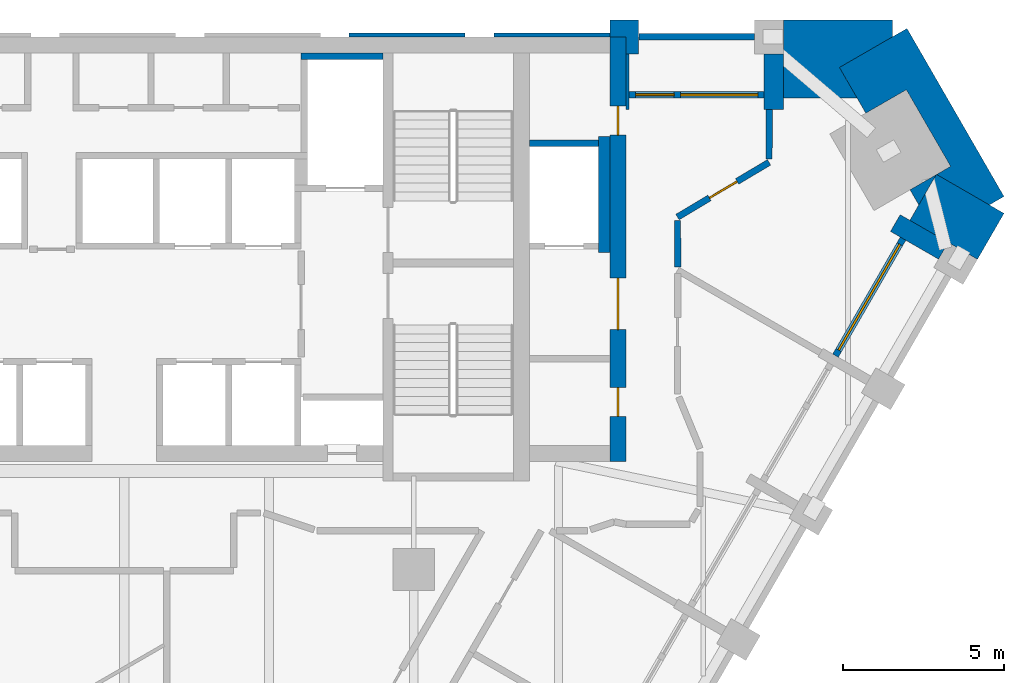
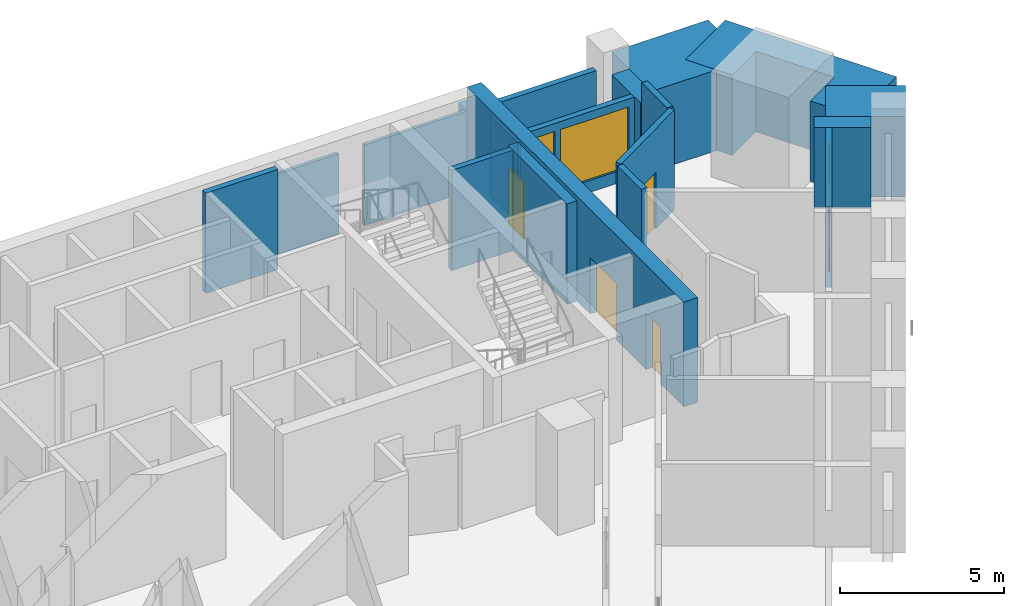
# One storey, part 8 of 10: 20 walls, 5 doors, 2 windows, 7 openings.
"""IFC4 building model written with IfcOpenShell, lengths in metres."""

from ifc_helpers import new_model, si_unit, direction, frame, frame_2d, origin, place, context, subcontext, project, spatial, polyline, rectangle, outline, extrude, material, layer, layer_set, type_object, element, fill, save


model = new_model("IFC4")

# Units and contexts
model_context = context("Model", 3, precision=1e-05, world=origin(), true_north=direction((0.0, 1.0)))
body_context = subcontext(model_context, "Body", "Model", "MODEL_VIEW")
ifc_project = project(units=[si_unit("LENGTHUNIT", "METRE"), si_unit("AREAUNIT", "SQUARE_METRE"), si_unit("VOLUMEUNIT", "CUBIC_METRE"), si_unit("PLANEANGLEUNIT", "RADIAN"), si_unit("MASSUNIT", "GRAM", prefix="KILO")], contexts=[model_context])

# Site, building, storey
site_placement = place(None, origin())
site = spatial("IfcSite", under=ifc_project, at=site_placement, CompositionType="ELEMENT")
building_placement = place(site_placement, origin())
building = spatial("IfcBuilding", under=site, at=building_placement, Name="Calabash Gate Tower", CompositionType="ELEMENT")
storey_placement = place(building_placement, frame((0.0, 0.0, 152.39990234375)))
storey = spatial("IfcBuildingStorey", under=building, at=storey_placement, Name="L35", CompositionType="ELEMENT", Elevation=152.39990234375)

# Walls
ifc_material_1 = material(Name="Terracotta brick masonry, exposed face", Category="masonry")
ifc_layer_1 = layer(ifc_material_1, 2.425048828125)
ifc_layer_set_1 = layer_set([ifc_layer_1], Name="Brick corner mass wall 2425")
wall_type_1 = type_object("IfcWallType", Name="Brick corner mass wall 2425", PredefinedType="SOLIDWALL", material=ifc_layer_set_1)
wall_1_placement = place(storey_placement, origin())
element("IfcWall", 1, at=wall_1_placement, inside=storey, type_object=wall_type_1, Name="Brick corner pier S09 3a", PredefinedType="SOLIDWALL", context=body_context, shape_type="SweptSolid", body=[
    extrude(outline(polyline([(25.24560546875, 14.77099609375), (24.425048828125, 13.349853515625), (25.6162109375, 12.662109375), (25.616455078125, 12.662109375), (26.525146484375, 12.137451171875), (27.350341796875, 13.566650390625), (25.255126953125, 14.7763671875), (25.24560546875, 14.77099609375)])), origin(), (0.0, 0.0, 1.0), 3.0),
])
wall_2_placement = place(storey_placement, origin())
element("IfcWall", 2, at=wall_2_placement, inside=storey, type_object=wall_type_1, Name="Brick corner pier S09 3ba", PredefinedType="SOLIDWALL", context=body_context, shape_type="SweptSolid", body=[
    extrude(outline(polyline([(25.24560546875, 14.77099609375), (24.429931640625, 14.300048828125), (24.701904296875, 13.8291015625), (25.24560546875, 14.77099609375)])), origin(), (0.0, 0.0, 1.0), 3.0),
])
wall_3_placement = place(storey_placement, origin())
element("IfcWall", 3, at=wall_3_placement, inside=storey, type_object=wall_type_1, Name="Brick corner pier S09 3bb", PredefinedType="SOLIDWALL", context=body_context, shape_type="SweptSolid", body=[
    extrude(outline(polyline([(24.315185546875, 17.4091796875), (25.690185546875, 15.02783203125), (25.255126953125, 14.7763671875), (26.895751953125, 13.8291015625), (27.350341796875, 14.091552734375), (24.334716796875, 19.31494140625), (22.234619140625, 18.1025390625), (23.054931640625, 16.681640625), (24.315185546875, 17.4091796875)])), origin(), (0.0, 0.0, 1.0), 3.0),
])
wall_4_placement = place(storey_placement, origin())
element("IfcWall", 4, at=wall_4_placement, inside=storey, type_object=wall_type_1, Name="Brick corner pier S09 3c", PredefinedType="SOLIDWALL", context=body_context, shape_type="SweptSolid", body=[
    extrude(outline(polyline([(20.495361328125, 18.528076171875), (20.495361328125, 17.152587890625), (22.782958984375, 17.152587890625), (22.234619140625, 18.1025390625), (23.880126953125, 19.052490234375), (23.880126953125, 19.57763671875), (20.4970703125, 19.57763671875), (20.4970703125, 18.528076171875), (20.495361328125, 18.528076171875)])), origin(), (0.0, 0.0, 1.0), 3.0),
])
ifc_material_2 = material(Name="Terracotta brick masonry, exposed face", Category="masonry")
ifc_layer_2 = layer(ifc_material_2, 1.050048828125)
ifc_layer_set_2 = layer_set([ifc_layer_2], Name="Brick end wall 1050")
wall_type_2 = type_object("IfcWallType", Name="Brick end wall 1050", PredefinedType="SOLIDWALL", material=ifc_layer_set_2)
wall_5_placement = place(storey_placement, origin())
element("IfcWall", 5, at=wall_5_placement, inside=storey, type_object=wall_type_2, Name="Brick pier S09 N6.1", PredefinedType="SOLIDWALL", context=body_context, shape_type="SweptSolid", body=[
    extrude(outline(polyline([(15.995361328125, 18.527587890625), (15.995361328125, 19.57763671875), (15.09521484375, 19.57763671875), (15.09521484375, 19.052490234375), (15.60009765625, 19.052490234375), (15.60009765625, 18.527587890625), (15.995361328125, 18.527587890625)])), origin(), (0.0, 0.0, 1.0), 3.0),
])
ifc_material_3 = material(Name="Terracotta brick masonry, exposed face", Category="masonry")
ifc_layer_3 = layer(ifc_material_3, 0.300048828125)
ifc_layer_set_3 = layer_set([ifc_layer_3], Name="Brick loggia cheek wall 300")
wall_type_3 = type_object("IfcWallType", Name="Brick loggia cheek wall 300", PredefinedType="SOLIDWALL", material=ifc_layer_set_3)
wall_6_placement = place(storey_placement, frame((25.4658203125, 12.402587890625, 0.0), z_axis=(0.0, 0.0, 1.0), x_axis=(-0.866074815912, 0.499914405916, 0.0)))
element("IfcWall", 6, at=wall_6_placement, inside=storey, type_object=wall_type_3, Name="Loggia cheek S09 SE4.8", PredefinedType="SOLIDWALL", context=body_context, shape_type="SweptSolid", body=[
    extrude(rectangle(XDim=1.724853515625, YDim=0.60009765625, at=frame_2d((0.8623046875, 0.0))), origin(), (0.0, 0.0, 1.0), 3.0),
])
wall_7_placement = place(storey_placement, origin())
element("IfcWall", 7, at=wall_7_placement, inside=storey, type_object=wall_type_3, Name="Loggia cheek S09 N6.0", PredefinedType="SOLIDWALL", context=body_context, shape_type="SweptSolid", body=[
    extrude(outline(polyline([(20.495361328125, 16.802490234375), (20.495361328125, 18.527587890625), (19.895263671875, 18.527587890625), (19.895263671875, 16.802490234375), (20.495361328125, 16.802490234375)])), origin(), (0.0, 0.0, 1.0), 3.0),
])
wall_8_placement = place(storey_placement, origin())
element("IfcWall", 8, at=wall_8_placement, inside=storey, type_object=wall_type_3, Name="Loggia cheek S09 N6.1", PredefinedType="SOLIDWALL", context=body_context, shape_type="SweptSolid", body=[
    extrude(outline(polyline([(15.6953125, 18.527587890625), (15.60009765625, 18.527587890625), (15.60009765625, 16.802490234375), (15.6953125, 16.802490234375), (15.6953125, 18.527587890625)])), origin(), (0.0, 0.0, 1.0), 3.0),
])

# Wall, openings, doors
ifc_material_4 = material(Name="Concrete C70/85", Category="concrete")
ifc_layer_4 = layer(ifc_material_4, 0.5)
ifc_layer_set_4 = layer_set([ifc_layer_4], Name="Core wall 500 Concrete C70/85")
wall_type_4 = type_object("IfcWallType", Name="Core wall 500 Concrete C70/85", PredefinedType="SHEAR", material=ifc_layer_set_4)
wall_9_placement = place(storey_placement, frame((15.35009765625, 5.8525390625, 0.0), z_axis=(0.0, 0.0, 1.0), x_axis=(0.0, 1.0, 0.0)))
wall_9 = element("IfcWall", 9, at=wall_9_placement, inside=storey, type_object=wall_type_4, Name="Core wall Z3-ENDE L35", PredefinedType="SHEAR", context=body_context, shape_type="SweptSolid", body=[
    extrude(rectangle(XDim=13.199951171875, YDim=0.5, at=frame_2d((6.60009765625, 0.0))), origin(), (0.0, 0.0, 1.0), 3.900146484375),
])
opening_1_placement = place(wall_9_placement, frame((4.10009765625, 0.0, 0.0)))
opening_1 = element("IfcOpeningElement", 10, at=opening_1_placement, cuts=wall_9, Name="Opening O1-003", PredefinedType="OPENING", context=body_context, shape_type="SweptSolid", body=[
    extrude(rectangle(XDim=1.60009765625, YDim=2.10009765625, at=frame_2d((0.800048828125, 1.050048828125))), frame((0.0, 0.260009765625, 0.0), z_axis=(0.0, -1.0, 0.0), x_axis=(1.0, 0.0, 0.0)), (0.0, 0.0, 1.0), 0.52001953125),
])
opening_2_placement = place(wall_9_placement, frame((1.39990234375, 0.0, 0.0)))
opening_2 = element("IfcOpeningElement", 11, at=opening_2_placement, cuts=wall_9, Name="Opening O1-001", PredefinedType="OPENING", context=body_context, shape_type="SweptSolid", body=[
    extrude(rectangle(XDim=0.89990234375, YDim=2.10009765625, at=frame_2d((0.449951171875, 1.050048828125))), frame((0.0, 0.260009765625, 0.0), z_axis=(0.0, -1.0, 0.0), x_axis=(1.0, 0.0, 0.0)), (0.0, 0.0, 1.0), 0.52001953125),
])
opening_3_placement = place(wall_9_placement, frame((10.14990234375, 0.0, 0.0)))
opening_3 = element("IfcOpeningElement", 12, at=opening_3_placement, cuts=wall_9, Name="Opening O1-002", PredefinedType="OPENING", context=body_context, shape_type="SweptSolid", body=[
    extrude(rectangle(XDim=0.89990234375, YDim=2.10009765625, at=frame_2d((0.449951171875, 1.050048828125))), frame((0.0, 0.260009765625, 0.0), z_axis=(0.0, -1.0, 0.0), x_axis=(1.0, 0.0, 0.0)), (0.0, 0.0, 1.0), 0.52001953125),
])
ifc_material_5 = material(Name="Steel fire door set with fire-resisting glazing", Category="steel")
door_type_1 = type_object("IfcDoorType", Name="Double fire door D08 1600x2100 FD60", OperationType="DOUBLE_DOOR_SINGLE_SWING", PredefinedType="DOOR", material=ifc_material_5)
door_1_placement = place(opening_1_placement, origin())
door_1 = element("IfcDoor", 13, at=door_1_placement, inside=storey, type_object=door_type_1, Name="Service Lift Lobby E door", OperationType="DOUBLE_DOOR_SINGLE_SWING", OverallHeight=2.10009765625, OverallWidth=1.60009765625, PredefinedType="DOOR", context=body_context, shape_type="SweptSolid", body=[
    extrude(rectangle(XDim=1.60009765625, YDim=2.10009765625, at=frame_2d((0.800048828125, 1.050048828125))), frame((0.0, 0.02490234375, 0.0), z_axis=(0.0, -1.0, 0.0), x_axis=(1.0, 0.0, 0.0)), (0.0, 0.0, 1.0), 0.050048828125),
])
fill(opening_1, door_1)
ifc_material_6 = material(Name="Steel fire door set with fire-resisting glazing", Category="steel")
door_type_2 = type_object("IfcDoorType", Name="Fire door D06 900x2100 FD60", OperationType="NOTDEFINED", PredefinedType="DOOR", material=ifc_material_6)
door_2_placement = place(opening_2_placement, origin())
door_2 = element("IfcDoor", 14, at=door_2_placement, inside=storey, type_object=door_type_2, Name="Comms Room door", OperationType="SINGLE_SWING_RIGHT", OverallHeight=2.10009765625, OverallWidth=0.89990234375, PredefinedType="DOOR", context=body_context, shape_type="SweptSolid", body=[
    extrude(rectangle(XDim=0.89990234375, YDim=2.10009765625, at=frame_2d((0.449951171875, 1.050048828125))), frame((0.0, 0.02490234375, 0.0), z_axis=(0.0, -1.0, 0.0), x_axis=(1.0, 0.0, 0.0)), (0.0, 0.0, 1.0), 0.050048828125),
])
fill(opening_2, door_2)
door_3_placement = place(opening_3_placement, origin())
door_3 = element("IfcDoor", 15, at=door_3_placement, inside=storey, type_object=door_type_2, Name="Print Room door", OperationType="SINGLE_SWING_LEFT", OverallHeight=2.10009765625, OverallWidth=0.89990234375, PredefinedType="DOOR", context=body_context, shape_type="SweptSolid", body=[
    extrude(rectangle(XDim=0.89990234375, YDim=2.10009765625, at=frame_2d((0.449951171875, 1.050048828125))), frame((0.0, 0.02490234375, 0.0), z_axis=(0.0, -1.0, 0.0), x_axis=(1.0, 0.0, 0.0)), (0.0, 0.0, 1.0), 0.050048828125),
])
fill(opening_3, door_3)

# Wall
ifc_material_7 = material(Name="Gypsum board on steel studs, mineral wool", Category="steel")
ifc_layer_5 = layer(ifc_material_7, 0.199951171875)
ifc_layer_set_5 = layer_set([ifc_layer_5], Name="Partition 200 gypsum board EI 60")
wall_type_5 = type_object("IfcWallType", Name="Partition 200 gypsum board EI 60", PredefinedType="PARTITIONING", material=ifc_layer_set_5)
wall_10_placement = place(storey_placement, frame((17.20068359375, 13.352294921875, 0.0), z_axis=(0.0, 0.0, 1.0), x_axis=(0.000843027858, -0.999999644652, 0.0)))
element("IfcWall", 16, at=wall_10_placement, inside=storey, type_object=wall_type_5, Name="Partition", PredefinedType="PARTITIONING", context=body_context, shape_type="SweptSolid", body=[
    extrude(rectangle(XDim=1.447998046875, YDim=0.199951171875, at=frame_2d((0.72412109375, 0.0))), origin(), (0.0, 0.0, 1.0), 3.72998046875),
])

# Wall, opening, door
wall_11_placement = place(storey_placement, frame((17.200439453125, 13.452392578125, 0.0), z_axis=(0.0, 0.0, 1.0), x_axis=(0.858479307904, 0.512848201616, 0.0)))
wall_11 = element("IfcWall", 17, at=wall_11_placement, inside=storey, type_object=wall_type_5, Name="Partition", PredefinedType="PARTITIONING", context=body_context, shape_type="SweptSolid", body=[
    extrude(rectangle(XDim=3.314208984375, YDim=0.199951171875, at=frame_2d((1.6572265625, 0.0))), origin(), (0.0, 0.0, 1.0), 3.72998046875),
])
opening_4_placement = place(wall_11_placement, frame((1.1572265625, 0.0, 0.0)))
opening_4 = element("IfcOpeningElement", 18, at=opening_4_placement, cuts=wall_11, Name="Opening 33-35-014", PredefinedType="OPENING", context=body_context, shape_type="SweptSolid", body=[
    extrude(rectangle(XDim=1.0, YDim=2.10009765625, at=frame_2d((0.5, 1.050048828125))), frame((0.0, 0.10986328125, 0.0), z_axis=(0.0, -1.0, 0.0), x_axis=(1.0, 0.0, 0.0)), (0.0, 0.0, 1.0), 0.219970703125),
])
ifc_material_8 = material(Name="Steel fire door set with fire-resisting glazing", Category="steel")
door_type_3 = type_object("IfcDoorType", Name="LD2 Meeting room door 1000x2100", OperationType="NOTDEFINED", PredefinedType="DOOR", material=ifc_material_8)
door_4_placement = place(opening_4_placement, origin())
door_4 = element("IfcDoor", 19, at=door_4_placement, inside=storey, type_object=door_type_3, Name="Meeting room door", OperationType="SINGLE_SWING_LEFT", OverallHeight=2.10009765625, OverallWidth=1.0, PredefinedType="DOOR", context=body_context, shape_type="SweptSolid", body=[
    extrude(rectangle(XDim=1.0, YDim=2.10009765625, at=frame_2d((0.5, 1.050048828125))), frame((0.0, 0.02490234375, 0.0), z_axis=(0.0, -1.0, 0.0), x_axis=(1.0, 0.0, 0.0)), (0.0, 0.0, 1.0), 0.050048828125),
])
fill(opening_4, door_4)

# Walls
wall_12_placement = place(storey_placement, frame((20.045654296875, 15.252197265625, 0.0), z_axis=(0.0, 0.0, 1.0), x_axis=(0.000157480313, 0.9999999876, 0.0)))
element("IfcWall", 20, at=wall_12_placement, inside=storey, type_object=wall_type_5, Name="Partition", PredefinedType="PARTITIONING", context=body_context, shape_type="SweptSolid", body=[
    extrude(rectangle(XDim=1.55029296875, YDim=0.199951171875, at=frame_2d((0.775146484375, 0.0))), origin(), (0.0, 0.0, 1.0), 3.72998046875),
])
ifc_material_9 = material(Name="Concrete C40/50", Category="concrete")
ifc_layer_6 = layer(ifc_material_9, 0.199951171875)
ifc_layer_set_6 = layer_set([ifc_layer_6], Name="Shaft wall 200 Concrete C40/50")
wall_type_6 = type_object("IfcWallType", Name="Shaft wall 200 Concrete C40/50", PredefinedType="SOLIDWALL", material=ifc_layer_set_6)
wall_13_placement = place(storey_placement, frame((14.925048828125, 12.3525390625, 0.0), z_axis=(0.0, 0.0, 1.0), x_axis=(0.0, 1.0, 0.0)))
element("IfcWall", 21, at=wall_13_placement, inside=storey, type_object=wall_type_6, Name="Shaft wall", PredefinedType="SOLIDWALL", context=body_context, shape_type="SweptSolid", body=[
    extrude(rectangle(XDim=3.60009765625, YDim=0.35009765625, at=frame_2d((1.800048828125, 0.0))), origin(), (0.0, 0.0, 1.0), 3.72998046875),
])
wall_14_placement = place(storey_placement, frame((12.60009765625, 15.752685546875, 0.0), z_axis=(0.0, 0.0, 1.0), x_axis=(1.0, 0.0, 0.0)))
element("IfcWall", 22, at=wall_14_placement, inside=storey, type_object=wall_type_6, Name="Shaft wall", PredefinedType="SOLIDWALL", context=body_context, shape_type="SweptSolid", body=[
    extrude(rectangle(XDim=2.14990234375, YDim=0.199951171875, at=frame_2d((1.074951171875, 0.0))), origin(), (0.0, 0.0, 1.0), 3.72998046875),
])
wall_15_placement = place(storey_placement, frame((5.5, 18.45263671875, 0.0), z_axis=(0.0, 0.0, 1.0), x_axis=(1.0, 0.0, 0.0)))
element("IfcWall", 23, at=wall_15_placement, inside=storey, type_object=wall_type_6, Name="Shaft wall", PredefinedType="SOLIDWALL", context=body_context, shape_type="SweptSolid", body=[
    extrude(rectangle(XDim=2.550048828125, YDim=0.199951171875, at=frame_2d((1.27490234375, 0.0))), origin(), (0.0, 0.0, 1.0), 3.72998046875),
])
ifc_material_10 = material(Name="Terracotta brick masonry, perforated", Category="masonry")
ifc_layer_7 = layer(ifc_material_10, 0.1201171875)
ifc_layer_set_7 = layer_set([ifc_layer_7], Name="Terracotta jaali cladding A 120")
wall_type_7 = type_object("IfcWallType", Name="Terracotta jaali cladding A 120", PredefinedType="SOLIDWALL", material=ifc_layer_set_7)
wall_16_placement = place(storey_placement, origin())
element("IfcWall", 24, at=wall_16_placement, inside=storey, type_object=wall_type_7, Name="Jaali cladding S09 N6.3", PredefinedType="SOLIDWALL", context=body_context, shape_type="SweptSolid", body=[
    extrude(outline(polyline([(6.995361328125, 19.172607421875), (6.995361328125, 19.052490234375), (10.59521484375, 19.052490234375), (10.59521484375, 19.172607421875), (6.995361328125, 19.172607421875)])), origin(), (0.0, 0.0, 1.0), 3.0),
])
ifc_material_11 = material(Name="Terracotta brick masonry, perforated", Category="masonry")
ifc_layer_8 = layer(ifc_material_11, 0.199951171875)
ifc_layer_set_8 = layer_set([ifc_layer_8], Name="Terracotta jaali screen A")
wall_type_8 = type_object("IfcWallType", Name="Terracotta jaali screen A", PredefinedType="SOLIDWALL", material=ifc_layer_set_8)
wall_17_placement = place(storey_placement, frame((19.59521484375, 19.052490234375, 0.0), z_axis=(0.0, 0.0, 1.0), x_axis=(-1.0, 0.0, 0.0)))
element("IfcWall", 25, at=wall_17_placement, inside=storey, type_object=wall_type_8, Name="SCREEN A S09 N6.1", PredefinedType="SOLIDWALL", context=body_context, shape_type="SweptSolid", body=[
    extrude(rectangle(XDim=3.599853515625, YDim=0.199951171875, at=frame_2d((1.7998046875, 0.0))), origin(), (0.0, 0.0, 1.0), 3.0),
])
ifc_material_12 = material(Name="Terracotta louvre blades in an aluminium frame", Category="masonry")
ifc_layer_9 = layer(ifc_material_12, 0.1201171875)
ifc_layer_set_9 = layer_set([ifc_layer_9], Name="Terracotta vent louvre cladding 120")
wall_type_9 = type_object("IfcWallType", Name="Terracotta vent louvre cladding 120", PredefinedType="ELEMENTEDWALL", material=ifc_layer_set_9)
wall_18_placement = place(storey_placement, origin())
element("IfcWall", 26, at=wall_18_placement, inside=storey, type_object=wall_type_9, Name="Vent louvre cladding S09 N6.2", PredefinedType="ELEMENTEDWALL", context=body_context, shape_type="SweptSolid", body=[
    extrude(outline(polyline([(11.495361328125, 19.172607421875), (11.495361328125, 19.052490234375), (15.0947265625, 19.052490234375), (15.0947265625, 19.172607421875), (11.495361328125, 19.172607421875)])), origin(), (0.0, 0.0, 1.0), 3.0),
])

# Wall, opening, window
ifc_material_13 = material(Name="Aluminium framed window wall with insulated spandrel", Category="aluminium")
ifc_layer_10 = layer(ifc_material_13, 0.199951171875)
ifc_layer_set_10 = layer_set([ifc_layer_10], Name="Window wall 200")
wall_type_10 = type_object("IfcWallType", Name="Window wall 200", PredefinedType="ELEMENTEDWALL", material=ifc_layer_set_10)
wall_19_placement = place(storey_placement, frame((22.111572265625, 9.142822265625, 0.0), z_axis=(0.0, 0.0, 1.0), x_axis=(0.500002543286, 0.866023935413, 0.0)))
wall_19 = element("IfcWall", 27, at=wall_19_placement, inside=storey, type_object=wall_type_10, Name="Window wall S09 SE4.8", PredefinedType="ELEMENTEDWALL", context=body_context, shape_type="SweptSolid", body=[
    extrude(rectangle(XDim=4.2001953125, YDim=0.199951171875, at=frame_2d((2.10009765625, 0.0))), origin(), (0.0, 0.0, 1.0), 3.0),
])
opening_5_placement = place(wall_19_placement, frame((0.199951171875, 0.0, 0.449951171875)))
opening_5 = element("IfcOpeningElement", 28, at=opening_5_placement, cuts=wall_19, Name="Opening OW2", PredefinedType="OPENING", context=body_context, shape_type="SweptSolid", body=[
    extrude(rectangle(XDim=3.800048828125, YDim=2.25, at=frame_2d((1.89990234375, 1.125))), frame((0.0, 0.10986328125, 0.0), z_axis=(0.0, -1.0, 0.0), x_axis=(1.0, 0.0, 0.0)), (0.0, 0.0, 1.0), 0.219970703125),
])
ifc_material_14 = material(Name="Anodised aluminium frame, bronze finish, impact-rated laminated clear glazing", Category="aluminium")
window_type_1 = type_object("IfcWindowType", Name="Window OW2 3800x2250", PartitioningType="TRIPLE_PANEL_VERTICAL", PredefinedType="WINDOW", material=ifc_material_14)
window_1_placement = place(opening_5_placement, origin())
window_1 = element("IfcWindow", 29, at=window_1_placement, inside=storey, type_object=window_type_1, Name="Window OW2 S09 SE4.8", OverallHeight=2.25, OverallWidth=3.800048828125, PartitioningType="SINGLE_PANEL", PredefinedType="WINDOW", context=body_context, shape_type="SweptSolid", body=[
    extrude(rectangle(XDim=3.800048828125, YDim=2.25, at=frame_2d((1.89990234375, 1.125))), frame((0.0, 0.030029296875, 0.0), z_axis=(0.0, -1.0, 0.0), x_axis=(1.0, 0.0, 0.0)), (0.0, 0.0, 1.0), 0.06005859375),
])
fill(opening_5, window_1)

# Wall, openings, door, window
wall_20_placement = place(storey_placement, frame((19.895263671875, 17.25244140625, 0.0), z_axis=(0.0, 0.0, 1.0), x_axis=(-1.0, 0.0, 0.0)))
wall_20 = element("IfcWall", 30, at=wall_20_placement, inside=storey, type_object=wall_type_10, Name="Window wall S09 N6.1", PredefinedType="ELEMENTEDWALL", context=body_context, shape_type="SweptSolid", body=[
    extrude(rectangle(XDim=4.199951171875, YDim=0.199951171875, at=frame_2d((2.10009765625, 0.0))), origin(), (0.0, 0.0, 1.0), 3.0),
])
opening_6_placement = place(wall_20_placement, frame((0.199951171875, 0.0, 0.449951171875)))
opening_6 = element("IfcOpeningElement", 31, at=opening_6_placement, cuts=wall_20, Name="Opening OW1", PredefinedType="OPENING", context=body_context, shape_type="SweptSolid", body=[
    extrude(rectangle(XDim=2.39990234375, YDim=2.25, at=frame_2d((1.199951171875, 1.125))), frame((0.0, 0.10986328125, 0.0), z_axis=(0.0, -1.0, 0.0), x_axis=(1.0, 0.0, 0.0)), (0.0, 0.0, 1.0), 0.219970703125),
])
opening_7_placement = place(wall_20_placement, frame((2.800048828125, 0.0, 0.0)))
opening_7 = element("IfcOpeningElement", 32, at=opening_7_placement, cuts=wall_20, Name="Opening O1-020", PredefinedType="OPENING", context=body_context, shape_type="SweptSolid", body=[
    extrude(rectangle(XDim=1.199951171875, YDim=2.699951171875, at=frame_2d((0.60009765625, 1.35009765625))), frame((0.0, 0.10986328125, 0.0), z_axis=(0.0, -1.0, 0.0), x_axis=(1.0, 0.0, 0.0)), (0.0, 0.0, 1.0), 0.219970703125),
])
ifc_material_15 = material(Name="Anodised aluminium frame, bronze finish, impact-rated laminated clear glazing", Category="aluminium")
door_type_4 = type_object("IfcDoorType", Name="Loggia door DO1 1200x2700", OperationType="SLIDING_TO_LEFT", PredefinedType="DOOR", material=ifc_material_15)
door_5_placement = place(opening_7_placement, origin())
door_5 = element("IfcDoor", 33, at=door_5_placement, inside=storey, type_object=door_type_4, Name="Loggia door S09 N6.1", OperationType="SINGLE_SWING_LEFT", OverallHeight=2.699951171875, OverallWidth=1.199951171875, PredefinedType="DOOR", context=body_context, shape_type="SweptSolid", body=[
    extrude(rectangle(XDim=1.199951171875, YDim=2.699951171875, at=frame_2d((0.60009765625, 1.35009765625))), frame((0.0, 0.02490234375, 0.0), z_axis=(0.0, -1.0, 0.0), x_axis=(1.0, 0.0, 0.0)), (0.0, 0.0, 1.0), 0.050048828125),
])
fill(opening_7, door_5)
ifc_material_16 = material(Name="Anodised aluminium frame, bronze finish, impact-rated laminated clear glazing", Category="aluminium")
window_type_2 = type_object("IfcWindowType", Name="Window OW1 2400x2250", PartitioningType="DOUBLE_PANEL_VERTICAL", PredefinedType="WINDOW", material=ifc_material_16)
window_2_placement = place(opening_6_placement, origin())
window_2 = element("IfcWindow", 34, at=window_2_placement, inside=storey, type_object=window_type_2, Name="Window OW1 S09 N6.1", OverallHeight=2.25, OverallWidth=2.39990234375, PartitioningType="SINGLE_PANEL", PredefinedType="WINDOW", context=body_context, shape_type="SweptSolid", body=[
    extrude(rectangle(XDim=2.39990234375, YDim=2.25, at=frame_2d((1.199951171875, 1.125))), frame((0.0, 0.030029296875, 0.0), z_axis=(0.0, -1.0, 0.0), x_axis=(1.0, 0.0, 0.0)), (0.0, 0.0, 1.0), 0.06005859375),
])
fill(opening_6, window_2)

save(model, "model.ifc")
